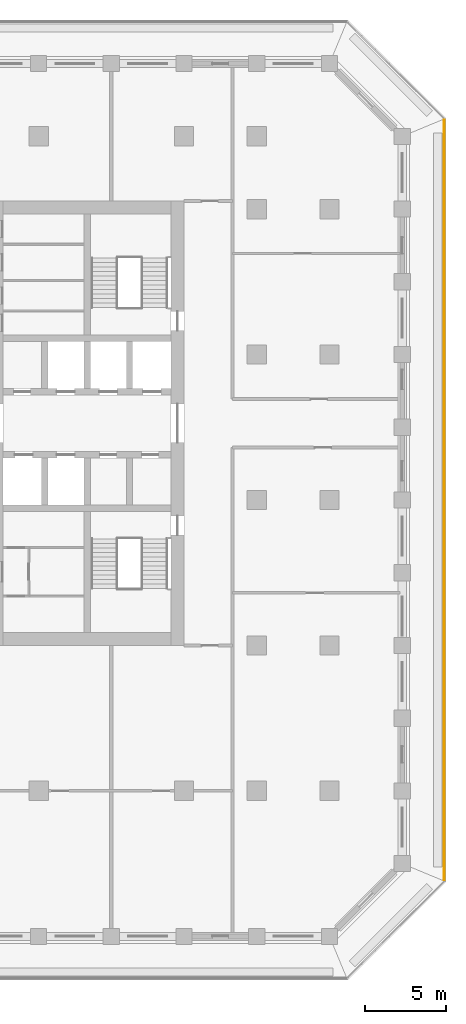
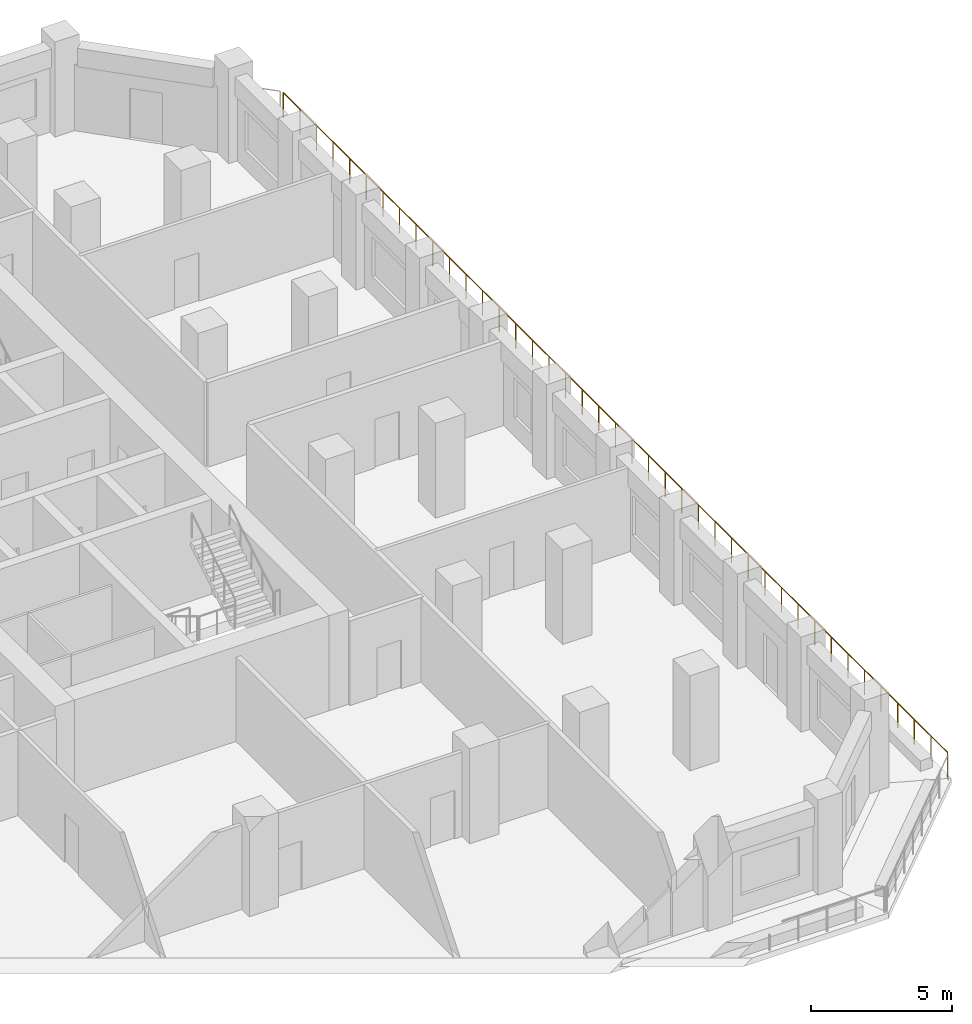
# One storey, part 12 of 16: 1 railing.
"""IFC4 building model written with IfcOpenShell, lengths in metres."""

import ifcopenshell
import ifcopenshell.guid

model = None  # the IFC model being written
_history = None  # IfcOwnerHistory: only IFC2X3 demands one
_inside = {}  # id of a spatial element -> (the spatial element, [elements in it])
_under = {}  # id of a project, library or spatial element -> (it, [spatial elements below it])
_declared = {}  # id of a project -> (the project, [libraries it declares])
_typed = {}  # id of a type object -> (the type object, [elements of that type])
_made_of = {}  # id of a material, layer set ... -> (it, [elements and type objects made of it])


def new_model(schema):
    """Start an empty IFC model of exactly this schema.

    Asked for "IFC4X3", IfcOpenShell would pick the latest addendum, in which some entities
    have other attributes; the version numbers below select the first issue.
    IFC2X3 requires an IfcOwnerHistory on every rooted entity: one is made here for all.
    """
    global model, _history
    if schema == "IFC4X3":
        model = ifcopenshell.file(schema_version=(4, 3, 0, 0))
    else:
        model = ifcopenshell.file(schema=schema)
    _inside.clear()
    _under.clear()
    _declared.clear()
    _typed.clear()
    _made_of.clear()
    _history = None
    if model.schema == "IFC2X3":
        org = make("IfcOrganization", Name="unknown")
        user = make(
            "IfcPersonAndOrganization",
            ThePerson=make("IfcPerson", FamilyName="unknown"),
            TheOrganization=org,
        )
        app = make(
            "IfcApplication",
            ApplicationDeveloper=org,
            Version="unknown",
            ApplicationFullName="unknown",
            ApplicationIdentifier="unknown",
        )
        _history = make(
            "IfcOwnerHistory",
            OwningUser=user,
            OwningApplication=app,
            ChangeAction="ADDED",
            CreationDate=0,
        )
    return model


def make(cls, **values):
    """One entity of the class cls with the attributes given. An attribute that is None is left unset."""
    return model.create_entity(
        cls, **{name: value for name, value in values.items() if value is not None}
    )


def rooted(cls, **values):
    """An entity with a GlobalId (a new one), such as an element, a storey or a relation."""
    return make(cls, GlobalId=ifcopenshell.guid.new(), OwnerHistory=_history, **values)


def si_unit(unit_type, name, prefix=None):
    """IfcSIUnit, for example si_unit("LENGTHUNIT", "METRE", prefix="MILLI")."""
    return make("IfcSIUnit", UnitType=unit_type, Prefix=prefix, Name=name)


def assignment(units):
    """IfcUnitAssignment: the units of a project."""
    return None if units is None else make("IfcUnitAssignment", Units=units)


def point(xyz):
    """IfcCartesianPoint."""
    return None if xyz is None else make("IfcCartesianPoint", Coordinates=xyz)


def direction(xyz):
    """IfcDirection."""
    return None if xyz is None else make("IfcDirection", DirectionRatios=xyz)


def frame(location, z_axis=None, x_axis=None):
    """IfcAxis2Placement3D, a coordinate frame: its origin and axes. An axis left out is left unset."""
    return make(
        "IfcAxis2Placement3D",
        Location=point(location),
        Axis=direction(z_axis),
        RefDirection=direction(x_axis),
    )


def frame_2d(location, x_axis=None):
    """IfcAxis2Placement2D, a coordinate frame in the plane: its origin and x axis."""
    return make(
        "IfcAxis2Placement2D", Location=point(location), RefDirection=direction(x_axis)
    )


def origin():
    """The frame at (0, 0, 0) with its axes left unset."""
    return frame((0.0, 0.0, 0.0))


def origin_2d():
    """The frame at (0, 0) in the plane with its x axis left unset."""
    return frame_2d((0.0, 0.0))


def place(relative_to, where):
    """IfcLocalPlacement: puts the frame where relative to a parent placement (None: the world)."""
    return make(
        "IfcLocalPlacement", PlacementRelTo=relative_to, RelativePlacement=where
    )


def context(
    kind, dimensions, precision=None, world=None, true_north=None, identifier=None
):
    """IfcGeometricRepresentationContext, for example the 3D "Model" context."""
    return make(
        "IfcGeometricRepresentationContext",
        ContextIdentifier=identifier,
        ContextType=kind,
        CoordinateSpaceDimension=dimensions,
        Precision=precision,
        WorldCoordinateSystem=world,
        TrueNorth=true_north,
    )


def subcontext(parent, identifier, kind, view, scale=None):
    """IfcGeometricRepresentationSubContext, for example "Body" below "Model"."""
    return make(
        "IfcGeometricRepresentationSubContext",
        ContextIdentifier=identifier,
        ContextType=kind,
        ParentContext=parent,
        TargetScale=scale,
        TargetView=view,
    )


def project(units=None, contexts=None):
    """IfcProject with its units and contexts."""
    return rooted(
        "IfcProject",
        Name="project",
        RepresentationContexts=contexts,
        UnitsInContext=assignment(units),
    )


def spatial(cls, under=None, at=None, **own):
    """A site, building, storey or space (cls), placed at a placement, below another one or the project."""
    s = rooted(cls, ObjectPlacement=at, **own)
    if under is not None:
        _under.setdefault(under.id(), (under, []))[1].append(s)
    return s


def profile(cls, at=None, kind="AREA", **sizes):
    """A parametric profile (cls). Its sizes go by their IFC names, for example OverallWidth=200.0."""
    return make(cls, ProfileType=kind, Position=at, **sizes)


def circle(**sizes):
    """IfcCircleProfileDef."""
    return profile("IfcCircleProfileDef", **sizes)


def extrude(swept, where, along, depth):
    """IfcExtrudedAreaSolid: the profile swept, set in the frame where, extruded along a direction by depth."""
    return make(
        "IfcExtrudedAreaSolid",
        SweptArea=swept,
        Position=where,
        ExtrudedDirection=direction(along),
        Depth=depth,
    )


def shape(context_of_items, identifier, shape_type, items):
    """IfcShapeRepresentation: the items that make up one representation, for example the "Body"."""
    return make(
        "IfcShapeRepresentation",
        ContextOfItems=context_of_items,
        RepresentationIdentifier=identifier,
        RepresentationType=shape_type,
        Items=items,
    )


def material(Name=None, Category=None):
    """IfcMaterial."""
    return make("IfcMaterial", Name=Name, Category=Category)


def made_of(thing, what):
    """Note that an element or type object is made of a material, layer set ...; save() writes the relation."""
    if what is not None:
        _made_of.setdefault(what.id(), (what, []))[1].append(thing)
    return thing


def type_object(cls, material=None, **own):
    """A type object (cls), such as IfcWallType, which elements share."""
    return made_of(rooted(cls, **own), material)


def element(
    cls,
    number,
    at=None,
    inside=None,
    cuts=None,
    type_object=None,
    material=None,
    context=None,
    identifier="Body",
    shape_type=None,
    held_by="IfcProductDefinitionShape",
    body=None,
    shapes=None,
    **own,
):
    """One element of the class cls, such as IfcWall. Its Tag is "e" and its number.

    at: its placement. inside: the storey or other place that contains it. cuts: it is an
    opening in that element (IfcRelVoidsElement). A single representation is given by context,
    identifier, shape_type and body (its items); several are given by shapes. held_by: the class
    of the entity that holds the representations. save() writes the other relations.
    """
    e = rooted(cls, Tag="e%d" % number, ObjectPlacement=at, **own)
    if body is not None:
        shapes = [shape(context, identifier, shape_type, body)]
    if shapes is not None:
        e.Representation = make(held_by, Representations=shapes)
    if inside is not None:
        _inside.setdefault(inside.id(), (inside, []))[1].append(e)
    if cuts is not None:
        rooted(
            "IfcRelVoidsElement", RelatingBuildingElement=cuts, RelatedOpeningElement=e
        )
    if type_object is not None:
        _typed.setdefault(type_object.id(), (type_object, []))[1].append(e)
    return made_of(e, material)


def aggregate(whole, parts):
    """IfcRelAggregates: a whole, such as a stair, and the parts it consists of."""
    return rooted("IfcRelAggregates", RelatingObject=whole, RelatedObjects=parts)


def save(model, path):
    """Write the relations noted so far, then the file.

    IfcRelAggregates (storeys below a building ...), IfcRelContainedInSpatialStructure (elements
    in a storey), IfcRelDefinesByType, IfcRelAssociatesMaterial and IfcRelDeclares: one each for
    every whole, place, type object, material and project.
    """
    for whole, parts in _under.values():
        aggregate(whole, parts)
    for where, things in _inside.values():
        rooted(
            "IfcRelContainedInSpatialStructure",
            RelatedElements=things,
            RelatingStructure=where,
        )
    for kind, things in _typed.values():
        rooted("IfcRelDefinesByType", RelatedObjects=things, RelatingType=kind)
    for what, things in _made_of.values():
        rooted("IfcRelAssociatesMaterial", RelatedObjects=things, RelatingMaterial=what)
    for by, libraries in _declared.values():
        rooted("IfcRelDeclares", RelatingContext=by, RelatedDefinitions=libraries)
    model.write(path)


model = new_model("IFC4")

# Units and contexts
model_context = context("Model", 3, precision=1e-05, world=origin(), true_north=direction((0.0, 1.0)))
body_context = subcontext(model_context, "Body", "Model", "MODEL_VIEW")
ifc_project = project(units=[si_unit("LENGTHUNIT", "METRE"), si_unit("AREAUNIT", "SQUARE_METRE"), si_unit("VOLUMEUNIT", "CUBIC_METRE"), si_unit("PLANEANGLEUNIT", "RADIAN"), si_unit("MASSUNIT", "GRAM", prefix="KILO")], contexts=[model_context])

# Site, building, storey
site_placement = place(None, origin())
site = spatial("IfcSite", under=ifc_project, at=site_placement, CompositionType="ELEMENT")
building_placement = place(site_placement, origin())
building = spatial("IfcBuilding", under=site, at=building_placement, Name="Corbel Stack Research Tower", CompositionType="ELEMENT")
storey_placement = place(building_placement, frame((0.0, 0.0, 195.60009765625)))
storey = spatial("IfcBuildingStorey", under=building, at=storey_placement, Name="L44", CompositionType="ELEMENT", Elevation=195.60009765625)

# Railing
ifc_material = material(Name="Powder-coated steel guard", Category="steel")
railing_type = type_object("IfcRailingType", Name="Steel and glass guard 1100", PredefinedType="GUARDRAIL", material=ifc_material)
railing_placement = place(storey_placement, frame((34.10009765625, -23.50537109375, 0.0)))
element("IfcRailing", 1, at=railing_placement, inside=storey, type_object=railing_type, Name="Loggia guard L44 E", PredefinedType="GUARDRAIL", context=body_context, shape_type="SweptSolid", body=[
    extrude(circle(Radius=0.02392578125, at=origin_2d()), frame((0.0, 0.0, 1.076171875), z_axis=(0.0, 1.0, 0.0), x_axis=(-1.0, 0.0, 0.0)), (0.0, 0.0, 1.0), 47.0107421875),
    extrude(circle(Radius=0.02099609375, at=origin_2d()), origin(), (0.0, 0.0, 1.0), 1.052001953125),
    extrude(circle(Radius=0.02099609375, at=origin_2d()), frame((0.0, 1.17529296875, 0.0)), (0.0, 0.0, 1.0), 1.052001953125),
    extrude(circle(Radius=0.02099609375, at=origin_2d()), frame((0.0, 2.3505859375, 0.0)), (0.0, 0.0, 1.0), 1.052001953125),
    extrude(circle(Radius=0.02099609375, at=origin_2d()), frame((0.0, 3.52587890625, 0.0)), (0.0, 0.0, 1.0), 1.052001953125),
    extrude(circle(Radius=0.02099609375, at=origin_2d()), frame((0.0, 4.701171875, 0.0)), (0.0, 0.0, 1.0), 1.052001953125),
    extrude(circle(Radius=0.02099609375, at=origin_2d()), frame((0.0, 5.87646484375, 0.0)), (0.0, 0.0, 1.0), 1.052001953125),
    extrude(circle(Radius=0.02099609375, at=origin_2d()), frame((0.0, 7.051513671875, 0.0)), (0.0, 0.0, 1.0), 1.052001953125),
    extrude(circle(Radius=0.02099609375, at=origin_2d()), frame((0.0, 8.226806640625, 0.0)), (0.0, 0.0, 1.0), 1.052001953125),
    extrude(circle(Radius=0.02099609375, at=origin_2d()), frame((0.0, 9.402099609375, 0.0)), (0.0, 0.0, 1.0), 1.052001953125),
    extrude(circle(Radius=0.02099609375, at=origin_2d()), frame((0.0, 10.577392578125, 0.0)), (0.0, 0.0, 1.0), 1.052001953125),
    extrude(circle(Radius=0.02099609375, at=origin_2d()), frame((0.0, 11.752685546875, 0.0)), (0.0, 0.0, 1.0), 1.052001953125),
    extrude(circle(Radius=0.02099609375, at=origin_2d()), frame((0.0, 12.927978515625, 0.0)), (0.0, 0.0, 1.0), 1.052001953125),
    extrude(circle(Radius=0.02099609375, at=origin_2d()), frame((0.0, 14.103271484375, 0.0)), (0.0, 0.0, 1.0), 1.052001953125),
    extrude(circle(Radius=0.02099609375, at=origin_2d()), frame((0.0, 15.278564453125, 0.0)), (0.0, 0.0, 1.0), 1.052001953125),
    extrude(circle(Radius=0.02099609375, at=origin_2d()), frame((0.0, 16.453857421875, 0.0)), (0.0, 0.0, 1.0), 1.052001953125),
    extrude(circle(Radius=0.02099609375, at=origin_2d()), frame((0.0, 17.62890625, 0.0)), (0.0, 0.0, 1.0), 1.052001953125),
    extrude(circle(Radius=0.02099609375, at=origin_2d()), frame((0.0, 18.80419921875, 0.0)), (0.0, 0.0, 1.0), 1.052001953125),
    extrude(circle(Radius=0.02099609375, at=origin_2d()), frame((0.0, 19.9794921875, 0.0)), (0.0, 0.0, 1.0), 1.052001953125),
    extrude(circle(Radius=0.02099609375, at=origin_2d()), frame((0.0, 21.15478515625, 0.0)), (0.0, 0.0, 1.0), 1.052001953125),
    extrude(circle(Radius=0.02099609375, at=origin_2d()), frame((0.0, 22.330078125, 0.0)), (0.0, 0.0, 1.0), 1.052001953125),
    extrude(circle(Radius=0.02099609375, at=origin_2d()), frame((0.0, 23.50537109375, 0.0)), (0.0, 0.0, 1.0), 1.052001953125),
    extrude(circle(Radius=0.02099609375, at=origin_2d()), frame((0.0, 24.6806640625, 0.0)), (0.0, 0.0, 1.0), 1.052001953125),
    extrude(circle(Radius=0.02099609375, at=origin_2d()), frame((0.0, 25.85595703125, 0.0)), (0.0, 0.0, 1.0), 1.052001953125),
    extrude(circle(Radius=0.02099609375, at=origin_2d()), frame((0.0, 27.03125, 0.0)), (0.0, 0.0, 1.0), 1.052001953125),
    extrude(circle(Radius=0.02099609375, at=origin_2d()), frame((0.0, 28.20654296875, 0.0)), (0.0, 0.0, 1.0), 1.052001953125),
    extrude(circle(Radius=0.02099609375, at=origin_2d()), frame((0.0, 29.3818359375, 0.0)), (0.0, 0.0, 1.0), 1.052001953125),
    extrude(circle(Radius=0.02099609375, at=origin_2d()), frame((0.0, 30.556884765625, 0.0)), (0.0, 0.0, 1.0), 1.052001953125),
    extrude(circle(Radius=0.02099609375, at=origin_2d()), frame((0.0, 31.732177734375, 0.0)), (0.0, 0.0, 1.0), 1.052001953125),
    extrude(circle(Radius=0.02099609375, at=origin_2d()), frame((0.0, 32.907470703125, 0.0)), (0.0, 0.0, 1.0), 1.052001953125),
    extrude(circle(Radius=0.02099609375, at=origin_2d()), frame((0.0, 34.082763671875, 0.0)), (0.0, 0.0, 1.0), 1.052001953125),
    extrude(circle(Radius=0.02099609375, at=origin_2d()), frame((0.0, 35.258056640625, 0.0)), (0.0, 0.0, 1.0), 1.052001953125),
    extrude(circle(Radius=0.02099609375, at=origin_2d()), frame((0.0, 36.433349609375, 0.0)), (0.0, 0.0, 1.0), 1.052001953125),
    extrude(circle(Radius=0.02099609375, at=origin_2d()), frame((0.0, 37.608642578125, 0.0)), (0.0, 0.0, 1.0), 1.052001953125),
    extrude(circle(Radius=0.02099609375, at=origin_2d()), frame((0.0, 38.783935546875, 0.0)), (0.0, 0.0, 1.0), 1.052001953125),
    extrude(circle(Radius=0.02099609375, at=origin_2d()), frame((0.0, 39.959228515625, 0.0)), (0.0, 0.0, 1.0), 1.052001953125),
    extrude(circle(Radius=0.02099609375, at=origin_2d()), frame((0.0, 41.13427734375, 0.0)), (0.0, 0.0, 1.0), 1.052001953125),
    extrude(circle(Radius=0.02099609375, at=origin_2d()), frame((0.0, 42.3095703125, 0.0)), (0.0, 0.0, 1.0), 1.052001953125),
    extrude(circle(Radius=0.02099609375, at=origin_2d()), frame((0.0, 43.48486328125, 0.0)), (0.0, 0.0, 1.0), 1.052001953125),
    extrude(circle(Radius=0.02099609375, at=origin_2d()), frame((0.0, 44.66015625, 0.0)), (0.0, 0.0, 1.0), 1.052001953125),
    extrude(circle(Radius=0.02099609375, at=origin_2d()), frame((0.0, 45.83544921875, 0.0)), (0.0, 0.0, 1.0), 1.052001953125),
    extrude(circle(Radius=0.02099609375, at=origin_2d()), frame((0.0, 47.0107421875, 0.0)), (0.0, 0.0, 1.0), 1.052001953125),
])

save(model, "model.ifc")
